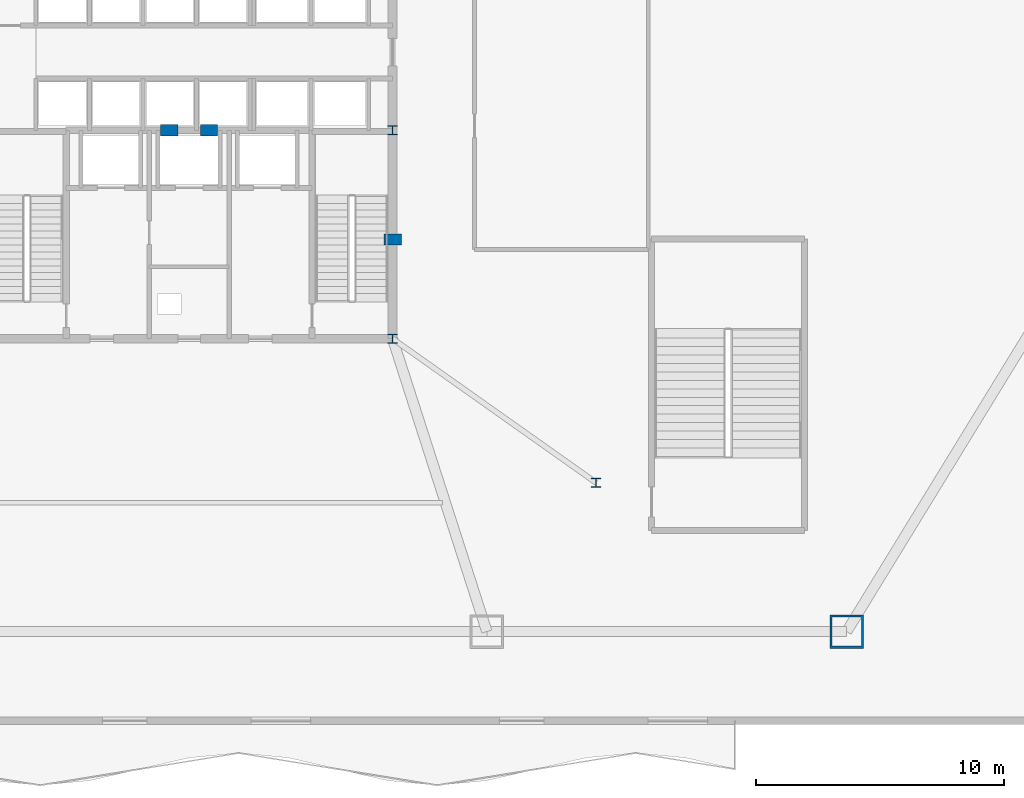
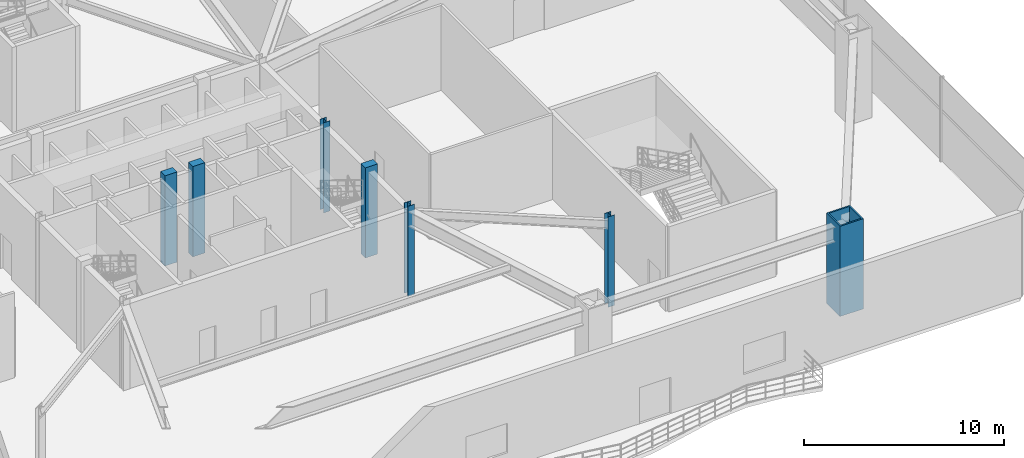
# One storey, part 2 of 20: 7 columns.
"""IFC4 building model written with IfcOpenShell, lengths in metres."""

from ifc_helpers import new_model, si_unit, direction, frame, origin, origin_2d, place, context, subcontext, project, spatial, rectangle, hollow_rectangle, i_section, extrude, material, material_profile, profile_set, type_object, element, save


model = new_model("IFC4")

# Units and contexts
model_context = context("Model", 3, precision=1e-05, world=origin(), true_north=direction((0.0, 1.0)))
body_context = subcontext(model_context, "Body", "Model", "MODEL_VIEW")
ifc_project = project(units=[si_unit("LENGTHUNIT", "METRE"), si_unit("AREAUNIT", "SQUARE_METRE"), si_unit("VOLUMEUNIT", "CUBIC_METRE"), si_unit("PLANEANGLEUNIT", "RADIAN"), si_unit("MASSUNIT", "GRAM", prefix="KILO")], contexts=[model_context])

# Site, building, storey
site_placement = place(None, origin())
site = spatial("IfcSite", under=ifc_project, at=site_placement, CompositionType="ELEMENT")
building_placement = place(site_placement, origin())
building = spatial("IfcBuilding", under=site, at=building_placement, Name="Varakhsha Concourse Tower", CompositionType="ELEMENT")
storey_placement = place(building_placement, frame((0.0, 0.0, 11.0)))
storey = spatial("IfcBuildingStorey", under=building, at=storey_placement, Name="L03", CompositionType="ELEMENT", Elevation=11.0)

# Columns
ifc_material_1 = material(Name="Structural Steel ASTM A992 Grade 50", Category="steel")
ifc_material_profile_1 = material_profile(ifc_material_1, i_section(OverallWidth=0.3740234375, OverallDepth=0.3720703125, WebThickness=0.01611328125, FlangeThickness=0.02587890625, at=origin_2d()), Name="W14X132")
ifc_profile_set_1 = profile_set([ifc_material_profile_1], Name="Structural Steel ASTM A992 Grade 50")
column_type_1 = type_object("IfcColumnType", Name="CL-CORE-W14X132", PredefinedType="COLUMN", material=ifc_profile_set_1)
for number, where, z_axis, x_axis, name in (
    (1, (48.199951171875, 16.39990234375, 0.0), (0.0, 0.0, 1.0), (1.0, 0.0, 0.0), "L03 Core Column CC-SE"),
    (2, (48.199951171875, 24.800048828125, 0.0), (0.0, 0.0, 1.0), (1.0, 0.0, 0.0), "L03 Core Column CC-ME"),
    (3, (56.39990234375, 10.60009765625, 0.0), (0.0, 0.0, 1.0), (1.0, 0.0, 0.0), "L03 Core Column SS-E"),
):
    element("IfcColumn", number, at=place(storey_placement, frame(where, z_axis=z_axis, x_axis=x_axis)), inside=storey, type_object=column_type_1, Name=name, PredefinedType="COLUMN", context=body_context, shape_type="SweptSolid", body=[
        extrude(i_section(OverallWidth=0.3740234375, OverallDepth=0.3720703125, WebThickness=0.01611328125, FlangeThickness=0.02587890625, at=origin_2d()), origin(), (0.0, 0.0, 1.0), 5.5),
    ])
ifc_material_2 = material(Name="Concrete fc 65 MPa", Category="concrete")
ifc_material_profile_2 = material_profile(ifc_material_2, rectangle(XDim=0.699951171875, YDim=0.449951171875, at=origin_2d()), Name="RC 700x450")
ifc_profile_set_2 = profile_set([ifc_material_profile_2], Name="Concrete fc 65 MPa")
column_type_2 = type_object("IfcColumnType", Name="CL-PIL-700X450", PredefinedType="PILASTER", material=ifc_profile_set_2)
for number, where, z_axis, x_axis, name in (
    (4, (48.199951171875, 20.39990234375, 0.0), (0.0, 0.0, 1.0), (1.0, 0.0, 0.0), "L03 Core Boundary Pilaster PIL-E1"),
    (5, (39.199951171875, 24.800048828125, 0.0), (0.0, 0.0, 1.0), (1.0, 0.0, 0.0), "L03 Core Boundary Pilaster PIL-M1"),
    (6, (40.800048828125, 24.800048828125, 0.0), (0.0, 0.0, 1.0), (1.0, 0.0, 0.0), "L03 Core Boundary Pilaster PIL-M2"),
):
    element("IfcColumn", number, at=place(storey_placement, frame(where, z_axis=z_axis, x_axis=x_axis)), inside=storey, type_object=column_type_2, Name=name, PredefinedType="PILASTER", context=body_context, shape_type="SweptSolid", body=[
        extrude(rectangle(XDim=0.699951171875, YDim=0.449951171875, at=origin_2d()), origin(), (0.0, 0.0, 1.0), 5.5),
    ])
ifc_material_3 = material(Name="Structural Steel ASTM A572 Grade 50", Category="steel")
ifc_material_profile_3 = material_profile(ifc_material_3, hollow_rectangle(XDim=1.35009765625, YDim=1.35009765625, WallThickness=0.0849609375, at=origin_2d()), Name="BOX 1350x1350x85")
ifc_profile_set_3 = profile_set([ifc_material_profile_3], Name="Structural Steel ASTM A572 Grade 50")
column_type_3 = type_object("IfcColumnType", Name="CL-STILT-1350", PredefinedType="COLUMN", material=ifc_profile_set_3)
column_placement = place(storey_placement, frame((66.5, 4.60009765625, 0.0), z_axis=(0.0, 0.0, 1.0), x_axis=(1.0, 0.0, 0.0)))
element("IfcColumn", 7, at=column_placement, inside=storey, type_object=column_type_3, Name="L03 Podium Mega-Column PC-S4", PredefinedType="COLUMN", context=body_context, shape_type="SweptSolid", body=[
    extrude(hollow_rectangle(XDim=1.35009765625, YDim=1.35009765625, WallThickness=0.0849609375, at=origin_2d()), origin(), (0.0, 0.0, 1.0), 5.5),
])

save(model, "model.ifc")
